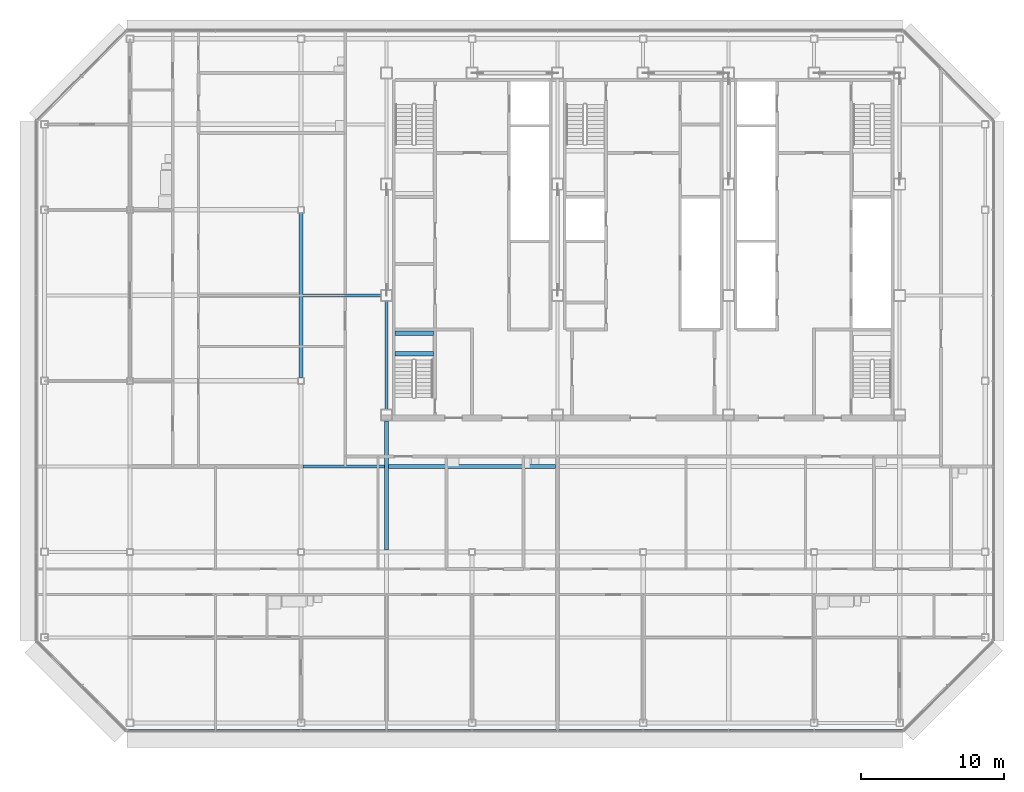
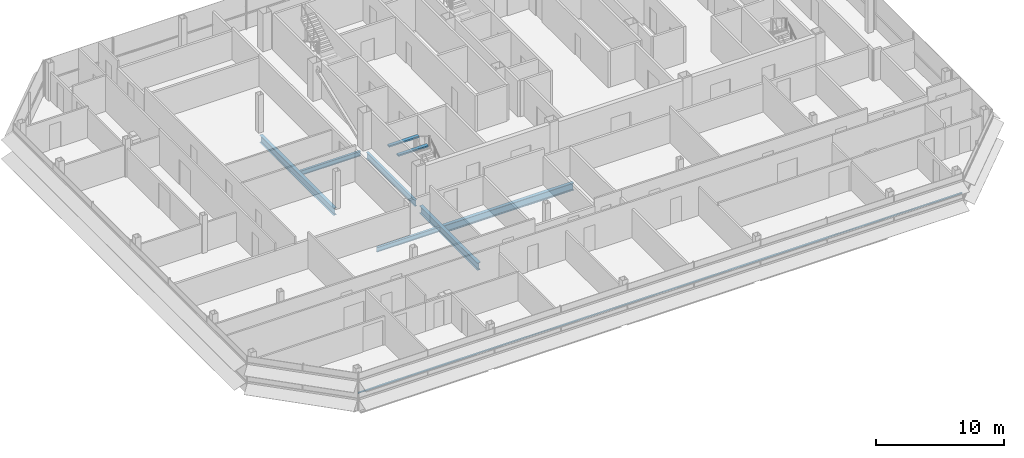
# One storey, part 9 of 27: 8 beams, 1 member, 1 element without a shape of its own.
"""IFC4 building model written with IfcOpenShell, lengths in metres."""

from ifc_helpers import new_model, si_unit, direction, frame, origin, origin_2d, place, context, subcontext, project, spatial, rectangle, i_section, extrude, material, material_profile, profile_set, type_object, element, aggregate, save


model = new_model("IFC4")

# Units and contexts
model_context = context("Model", 3, precision=1e-05, world=origin(), true_north=direction((0.0, 1.0)))
body_context = subcontext(model_context, "Body", "Model", "MODEL_VIEW")
ifc_project = project(units=[si_unit("LENGTHUNIT", "METRE"), si_unit("AREAUNIT", "SQUARE_METRE"), si_unit("VOLUMEUNIT", "CUBIC_METRE"), si_unit("PLANEANGLEUNIT", "RADIAN"), si_unit("MASSUNIT", "GRAM", prefix="KILO")], contexts=[model_context])

# Site, building, storey
site_placement = place(None, origin())
site = spatial("IfcSite", under=ifc_project, at=site_placement, CompositionType="ELEMENT")
building_placement = place(site_placement, origin())
building = spatial("IfcBuilding", under=site, at=building_placement, Name="Sorahane Residences", CompositionType="ELEMENT")
storey_placement = place(building_placement, frame((0.0, 0.0, 312.39990234375)))
storey = spatial("IfcBuildingStorey", under=building, at=storey_placement, Name="L74", CompositionType="ELEMENT", Elevation=312.39990234375)

# Curtain wall, member
ifc_material_1 = material(Name="Dark low-e glass and black anodised aluminium", Category="aluminium")
curtain_wall_type = type_object("IfcCurtainWallType", Name="Curtain wall CW-1 Typical unitised wall", PredefinedType="NOTDEFINED", material=ifc_material_1)
curtain_wall_placement = place(storey_placement, origin())
curtain_wall = element("IfcCurtainWall", 1, at=curtain_wall_placement, inside=storey, type_object=curtain_wall_type, Name="CW-1 curtain wall L74 S1", PredefinedType="NOTDEFINED")
ifc_material_2 = material(Name="Black anodised aluminium", Category="aluminium")
ifc_material_profile_1 = material_profile(ifc_material_2, rectangle(XDim=0.10009765625, YDim=0.06005859375, at=origin_2d()), Name="Curtain wall transom CW-1 black anodised aluminium 60x100")
ifc_profile_set_1 = profile_set([ifc_material_profile_1], Name="Black anodised aluminium")
member_type = type_object("IfcMemberType", Name="Curtain wall transom CW-1 black anodised aluminium 60x100", PredefinedType="USERDEFINED", material=ifc_profile_set_1)
member_placement = place(storey_placement, frame((-12.198486328125, -0.530029296875, 1.5), z_axis=(1.0, 0.0, 0.0), x_axis=(0.0, 1.0, 0.0)))
member = element("IfcMember", 2, at=member_placement, type_object=member_type, Name="CW-1 transom L74 S1", ObjectType="TRANSOM", PredefinedType="USERDEFINED", context=body_context, shape_type="SweptSolid", body=[
    extrude(rectangle(XDim=0.10009765625, YDim=0.06005859375, at=origin_2d()), origin(), (0.0, 0.0, 1.0), 54.39697265625),
])
aggregate(curtain_wall, [member])

# Beams
ifc_material_3 = material(Name="Concrete C40", Category="concrete")
ifc_material_profile_2 = material_profile(ifc_material_3, rectangle(XDim=0.300048828125, YDim=0.139892578125, at=origin_2d()), Name="300x140")
ifc_profile_set_2 = profile_set([ifc_material_profile_2], Name="Concrete C40")
beam_type_1 = type_object("IfcBeamType", Name="RC landing beam 300 x 140 Concrete C40", PredefinedType="BEAM", material=ifc_profile_set_2)
for number, where, z_axis, x_axis, name in (
    (3, (6.60009765625, 25.89990234375, 1.530029296875), (1.0, 0.0, 0.0), (0.0, 1.0, 0.0), "Landing beam"),
    (4, (6.60009765625, 27.35009765625, 1.530029296875), (1.0, 0.0, 0.0), (0.0, 1.0, 0.0), "Landing beam"),
):
    element("IfcBeam", number, at=place(storey_placement, frame(where, z_axis=z_axis, x_axis=x_axis)), inside=storey, type_object=beam_type_1, Name=name, PredefinedType="BEAM", context=body_context, shape_type="SweptSolid", body=[
        extrude(rectangle(XDim=0.300048828125, YDim=0.139892578125, at=origin_2d()), origin(), (0.0, 0.0, 1.0), 2.699951171875),
    ])
ifc_material_4 = material(Name="Steel Q355B", Category="steel")
ifc_material_profile_3 = material_profile(ifc_material_4, i_section(OverallWidth=0.199951171875, OverallDepth=0.449951171875, WebThickness=0.009033203125, FlangeThickness=0.013916015625, FilletRadius=0.02001953125, at=origin_2d()), Name="HN 450x200x9x14")
ifc_profile_set_3 = profile_set([ifc_material_profile_3], Name="Steel Q355B")
beam_type_2 = type_object("IfcBeamType", Name="Steel floor beam HN 450x200x9x14 Q355B", PredefinedType="BEAM", material=ifc_profile_set_3)
beam_1_placement = place(storey_placement, frame((0.14990234375, 18.0, -0.40478515625), z_axis=(1.0, 0.0, 0.0), x_axis=(0.0, 1.0, 0.0)))
element("IfcBeam", 5, at=beam_1_placement, inside=storey, type_object=beam_type_2, Name="Beam L74 078", PredefinedType="BEAM", context=body_context, shape_type="SweptSolid", body=[
    extrude(i_section(OverallWidth=0.199951171875, OverallDepth=0.449951171875, WebThickness=0.009033203125, FlangeThickness=0.013916015625, FilletRadius=0.02001953125, at=origin_2d()), origin(), (0.0, 0.0, 1.0), 5.7001953125),
])
beam_2_placement = place(storey_placement, frame((0.14990234375, 30.0, -0.40478515625), z_axis=(1.0, 0.0, 0.0), x_axis=(0.0, 1.0, 0.0)))
element("IfcBeam", 6, at=beam_2_placement, inside=storey, type_object=beam_type_2, Name="Beam L74 085", PredefinedType="BEAM", context=body_context, shape_type="SweptSolid", body=[
    extrude(i_section(OverallWidth=0.199951171875, OverallDepth=0.449951171875, WebThickness=0.009033203125, FlangeThickness=0.013916015625, FilletRadius=0.02001953125, at=origin_2d()), origin(), (0.0, 0.0, 1.0), 5.4501953125),
])
ifc_material_5 = material(Name="Steel Q355B", Category="steel")
ifc_material_profile_4 = material_profile(ifc_material_5, i_section(OverallWidth=0.199951171875, OverallDepth=0.60009765625, WebThickness=0.010986328125, FlangeThickness=0.01708984375, FilletRadius=0.02392578125, at=origin_2d()), Name="HN 600x200x11x17")
ifc_profile_set_4 = profile_set([ifc_material_profile_4], Name="Steel Q355B")
beam_type_3 = type_object("IfcBeamType", Name="Steel floor beam HN 600x200x11x17 Q355B", PredefinedType="BEAM", material=ifc_profile_set_4)
beam_3_placement = place(storey_placement, frame((6.0, 22.0, -0.47998046875), z_axis=(0.0, 1.0, 0.0), x_axis=(-1.0, 0.0, 0.0)))
element("IfcBeam", 7, at=beam_3_placement, inside=storey, type_object=beam_type_3, Name="Beam L74 034", PredefinedType="BEAM", context=body_context, shape_type="SweptSolid", body=[
    extrude(i_section(OverallWidth=0.199951171875, OverallDepth=0.60009765625, WebThickness=0.010986328125, FlangeThickness=0.01708984375, FilletRadius=0.02392578125, at=origin_2d()), origin(), (0.0, 0.0, 1.0), 7.60009765625),
])
ifc_material_6 = material(Name="Steel Q355B", Category="steel")
ifc_material_profile_5 = material_profile(ifc_material_6, i_section(OverallWidth=0.300048828125, OverallDepth=0.699951171875, WebThickness=0.012939453125, FlangeThickness=0.02392578125, FilletRadius=0.028076171875, at=origin_2d()), Name="HN 700x300x13x24")
ifc_profile_set_5 = profile_set([ifc_material_profile_5], Name="Steel Q355B")
beam_type_4 = type_object("IfcBeamType", Name="Steel floor beam HN 700x300x13x24 Q355B", PredefinedType="BEAM", material=ifc_profile_set_5)
beam_4_placement = place(storey_placement, frame((0.0, 24.22509765625, -0.52978515625), z_axis=(0.0, 1.0, 0.0), x_axis=(-1.0, 0.0, 0.0)))
element("IfcBeam", 8, at=beam_4_placement, inside=storey, type_object=beam_type_4, Name="Beam L74 030", PredefinedType="BEAM", context=body_context, shape_type="SweptSolid", body=[
    extrude(i_section(OverallWidth=0.300048828125, OverallDepth=0.699951171875, WebThickness=0.012939453125, FlangeThickness=0.02392578125, FilletRadius=0.028076171875, at=origin_2d()), origin(), (0.0, 0.0, 1.0), 11.5498046875),
])
beam_5_placement = place(storey_placement, frame((6.0, 12.14990234375, -0.52978515625), z_axis=(0.0, 1.0, 0.0), x_axis=(-1.0, 0.0, 0.0)))
element("IfcBeam", 9, at=beam_5_placement, inside=storey, type_object=beam_type_4, Name="Beam L74 033", PredefinedType="BEAM", context=body_context, shape_type="SweptSolid", body=[
    extrude(i_section(OverallWidth=0.300048828125, OverallDepth=0.699951171875, WebThickness=0.012939453125, FlangeThickness=0.02392578125, FilletRadius=0.028076171875, at=origin_2d()), origin(), (0.0, 0.0, 1.0), 9.050048828125),
])
beam_6_placement = place(storey_placement, frame((6.14990234375, 18.0, -0.52978515625), z_axis=(1.0, 0.0, 0.0), x_axis=(0.0, 1.0, 0.0)))
element("IfcBeam", 10, at=beam_6_placement, inside=storey, type_object=beam_type_4, Name="Beam L74 079", PredefinedType="BEAM", context=body_context, shape_type="SweptSolid", body=[
    extrude(i_section(OverallWidth=0.300048828125, OverallDepth=0.699951171875, WebThickness=0.012939453125, FlangeThickness=0.02392578125, FilletRadius=0.028076171875, at=origin_2d()), origin(), (0.0, 0.0, 1.0), 11.7001953125),
])

save(model, "model.ifc")
